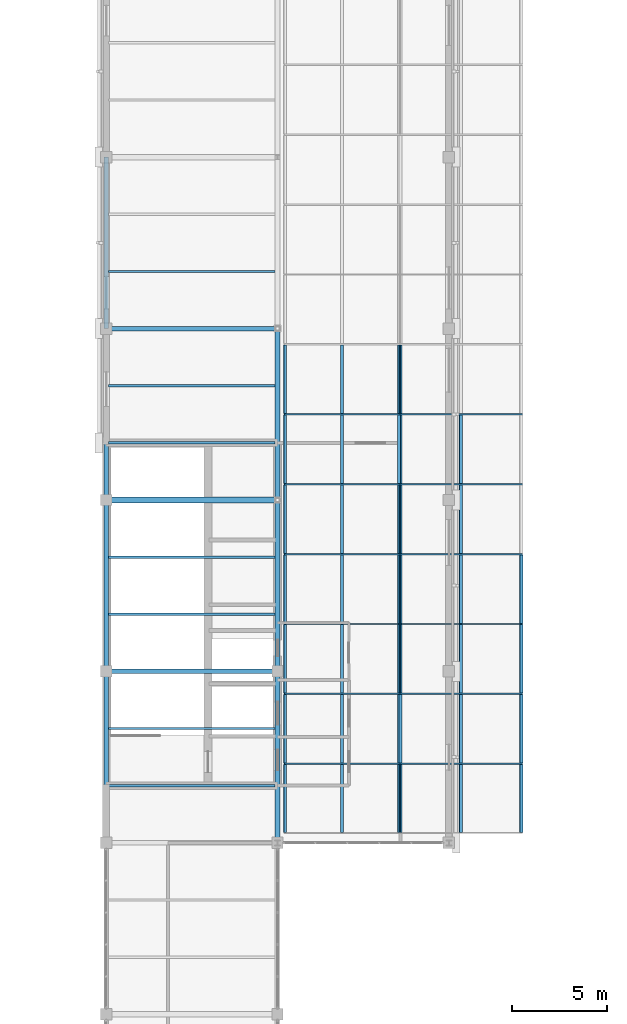
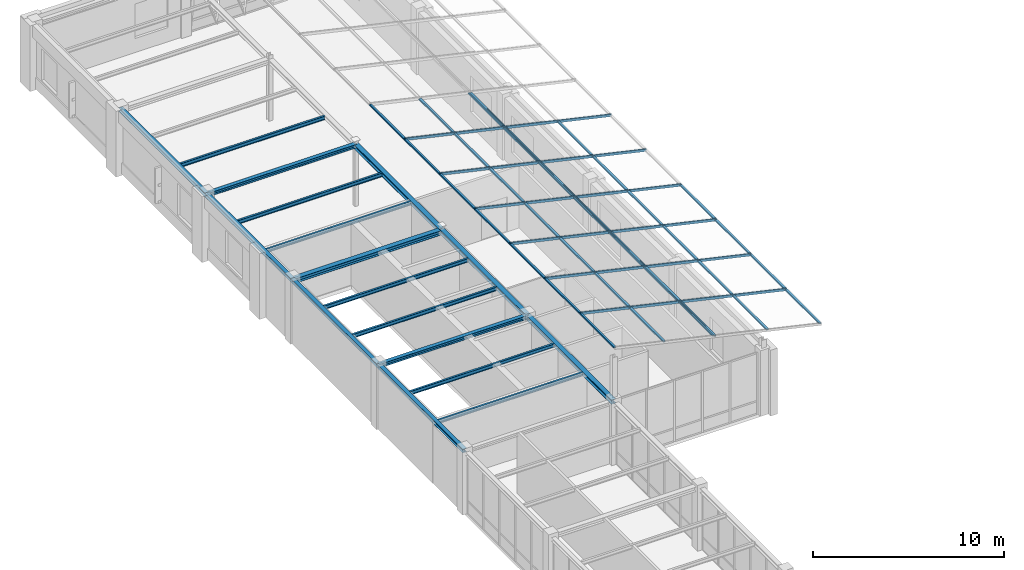
# One storey, part 55 of 97: 50 members, 17 beams, 2 elements without a shape of their own.
"""IFC4 building model written with IfcOpenShell, lengths in metres."""

from ifc_helpers import new_model, si_unit, direction, frame, origin, origin_2d, place, context, subcontext, project, spatial, hollow_rectangle, i_section, extrude, material, material_profile, profile_set, type_object, element, aggregate, save


model = new_model("IFC4")

# Units and contexts
model_context = context("Model", 3, precision=1e-05, world=origin(), true_north=direction((0.0, 1.0)))
body_context = subcontext(model_context, "Body", "Model", "MODEL_VIEW")
ifc_project = project(units=[si_unit("LENGTHUNIT", "METRE"), si_unit("AREAUNIT", "SQUARE_METRE"), si_unit("VOLUMEUNIT", "CUBIC_METRE"), si_unit("PLANEANGLEUNIT", "RADIAN"), si_unit("MASSUNIT", "GRAM", prefix="KILO")], contexts=[model_context])

# Site, building, storey
site_placement = place(None, origin())
site = spatial("IfcSite", under=ifc_project, at=site_placement, CompositionType="ELEMENT")
building_placement = place(site_placement, origin())
building = spatial("IfcBuilding", under=site, at=building_placement, Name="Lykobir Media Centre", CompositionType="ELEMENT")
storey_placement = place(building_placement, frame((0.0, 0.0, 23.39990234375)))
storey = spatial("IfcBuildingStorey", under=building, at=storey_placement, Name="L05", CompositionType="ELEMENT", Elevation=23.39990234375)

# Beams
ifc_material_1 = material(Name="Steel S355", Category="steel")
ifc_material_profile_1 = material_profile(ifc_material_1, i_section(OverallWidth=0.280029296875, OverallDepth=0.27001953125, WebThickness=0.008056640625, FlangeThickness=0.012939453125, at=origin_2d()), Name="HEA 280")
ifc_profile_set_1 = profile_set([ifc_material_profile_1], Name="Steel S355")
beam_type_1 = type_object("IfcBeamType", Name="BM-HEA280", PredefinedType="BEAM", material=ifc_profile_set_1)
for number, where, z_axis, x_axis, name in (
    (1, (36.0, 63.0, 3.8251953125), (0.0, 1.0, 0.0), (-1.0, 0.0, 0.0), "Beam BM-L05-0360-0630-0360-0720-2722"),
    (2, (36.0, 72.0, 3.8251953125), (0.0, 1.0, 0.0), (-1.0, 0.0, 0.0), "Beam BM-L05-0360-0720-0360-0810-2722"),
    (3, (36.0, 81.0, 3.8251953125), (0.0, 1.0, 0.0), (-1.0, 0.0, 0.0), "Beam BM-L05-0360-0810-0360-0900-2722"),
):
    element("IfcBeam", number, at=place(storey_placement, frame(where, z_axis=z_axis, x_axis=x_axis)), inside=storey, type_object=beam_type_1, Name=name, PredefinedType="BEAM", context=body_context, shape_type="SweptSolid", body=[
        extrude(i_section(OverallWidth=0.280029296875, OverallDepth=0.27001953125, WebThickness=0.008056640625, FlangeThickness=0.012939453125, at=origin_2d()), origin(), (0.0, 0.0, 1.0), 9.0),
    ])
ifc_material_profile_2 = material_profile(ifc_material_1, i_section(OverallWidth=0.300048828125, OverallDepth=0.2900390625, WebThickness=0.008544921875, FlangeThickness=0.013916015625, at=origin_2d()), Name="HEA 300")
ifc_profile_set_2 = profile_set([ifc_material_profile_2], Name="Steel S355")
beam_type_2 = type_object("IfcBeamType", Name="BM-HEA300", PredefinedType="BEAM", material=ifc_profile_set_2)
beam_placement = place(storey_placement, frame((27.0, 81.0, 3.815185546875), z_axis=(1.0, 0.0, 0.0), x_axis=(0.0, 1.0, 0.0)))
element("IfcBeam", 4, at=beam_placement, inside=storey, type_object=beam_type_2, Name="Beam BM-L05-0270-0810-0360-0810-2722", PredefinedType="BEAM", context=body_context, shape_type="SweptSolid", body=[
    extrude(i_section(OverallWidth=0.300048828125, OverallDepth=0.2900390625, WebThickness=0.008544921875, FlangeThickness=0.013916015625, at=origin_2d()), origin(), (0.0, 0.0, 1.0), 9.0),
])

# Curtain wall, members
ifc_material_2 = material(Name="Anodized Aluminium AW-6060", Category="aluminium")
curtain_wall_type = type_object("IfcCurtainWallType", Name="CW-V6-SKY", PredefinedType="NOTDEFINED", material=ifc_material_2)
curtain_wall_1_placement = place(storey_placement, origin())
curtain_wall_1 = element("IfcCurtainWall", 5, at=curtain_wall_1_placement, inside=storey, type_object=curtain_wall_type, Name="Curtain wall CW-V6-SKY06", PredefinedType="NOTDEFINED")
ifc_material_profile_3 = material_profile(ifc_material_2, hollow_rectangle(XDim=0.074951171875, YDim=0.14990234375, WallThickness=0.00341796875, at=origin_2d()), Name="ALU TRANSOM 75x150")
ifc_profile_set_3 = profile_set([ifc_material_profile_3], Name="Anodized Aluminium AW-6060")
member_type = type_object("IfcMemberType", Name="CWT-150", PredefinedType="USERDEFINED", material=ifc_profile_set_3)
member_1_placement = place(storey_placement, frame((48.834716796875, 85.5, 3.9873046875), z_axis=(-0.975255318588, 0.0, 0.221081576721), x_axis=(0.0, -1.0, 0.0)))
member_1 = element("IfcMember", 6, at=member_1_placement, type_object=member_type, Name="CW-V6-SKY06 rafter transom 7", ObjectType="TRANSOM", PredefinedType="USERDEFINED", context=body_context, shape_type="SweptSolid", body=[
    extrude(hollow_rectangle(XDim=0.074951171875, YDim=0.14990234375, WallThickness=0.00341796875, at=origin_2d()), origin(), (0.0, 0.0, 1.0), 6.591552734375),
])
member_2_placement = place(storey_placement, frame((48.834716796875, 81.830078125, 3.9873046875), z_axis=(-0.975255318588, 0.0, 0.221081576721), x_axis=(0.0, -1.0, 0.0)))
member_2 = element("IfcMember", 7, at=member_2_placement, type_object=member_type, Name="CW-V6-SKY06 rafter transom 8", ObjectType="TRANSOM", PredefinedType="USERDEFINED", context=body_context, shape_type="SweptSolid", body=[
    extrude(hollow_rectangle(XDim=0.074951171875, YDim=0.14990234375, WallThickness=0.00341796875, at=origin_2d()), origin(), (0.0, 0.0, 1.0), 6.591552734375),
])
member_3_placement = place(storey_placement, frame((48.834716796875, 78.159912109375, 3.9873046875), z_axis=(-0.975255318588, 0.0, 0.221081576721), x_axis=(0.0, -1.0, 0.0)))
member_3 = element("IfcMember", 8, at=member_3_placement, type_object=member_type, Name="CW-V6-SKY06 rafter transom 9", ObjectType="TRANSOM", PredefinedType="USERDEFINED", context=body_context, shape_type="SweptSolid", body=[
    extrude(hollow_rectangle(XDim=0.074951171875, YDim=0.14990234375, WallThickness=0.00341796875, at=origin_2d()), origin(), (0.0, 0.0, 1.0), 6.591552734375),
])
member_4_placement = place(storey_placement, frame((48.834716796875, 74.489990234375, 3.9873046875), z_axis=(-0.975255318588, 0.0, 0.221081576721), x_axis=(0.0, -1.0, 0.0)))
member_4 = element("IfcMember", 9, at=member_4_placement, type_object=member_type, Name="CW-V6-SKY06 rafter transom 10", ObjectType="TRANSOM", PredefinedType="USERDEFINED", context=body_context, shape_type="SweptSolid", body=[
    extrude(hollow_rectangle(XDim=0.074951171875, YDim=0.14990234375, WallThickness=0.00341796875, at=origin_2d()), origin(), (0.0, 0.0, 1.0), 6.591552734375),
])
member_5_placement = place(storey_placement, frame((48.834716796875, 70.820068359375, 3.9873046875), z_axis=(-0.975255318588, 0.0, 0.221081576721), x_axis=(0.0, -1.0, 0.0)))
member_5 = element("IfcMember", 10, at=member_5_placement, type_object=member_type, Name="CW-V6-SKY06 rafter transom 11", ObjectType="TRANSOM", PredefinedType="USERDEFINED", context=body_context, shape_type="SweptSolid", body=[
    extrude(hollow_rectangle(XDim=0.074951171875, YDim=0.14990234375, WallThickness=0.00341796875, at=origin_2d()), origin(), (0.0, 0.0, 1.0), 6.591552734375),
])
member_6_placement = place(storey_placement, frame((48.834716796875, 67.14990234375, 3.9873046875), z_axis=(-0.975255318588, 0.0, 0.221081576721), x_axis=(0.0, -1.0, 0.0)))
member_6 = element("IfcMember", 11, at=member_6_placement, type_object=member_type, Name="CW-V6-SKY06 rafter transom 12", ObjectType="TRANSOM", PredefinedType="USERDEFINED", context=body_context, shape_type="SweptSolid", body=[
    extrude(hollow_rectangle(XDim=0.074951171875, YDim=0.14990234375, WallThickness=0.00341796875, at=origin_2d()), origin(), (0.0, 0.0, 1.0), 6.591552734375),
])
member_7_placement = place(storey_placement, frame((42.44287109375, 89.132568359375, 5.436279296875), z_axis=(0.0, -1.0, 0.0), x_axis=(0.221071923309, 0.0, 0.975257506879)))
member_7 = element("IfcMember", 12, at=member_7_placement, type_object=member_type, Name="CW-V6-SKY06 transom 6.3", ObjectType="TRANSOM", PredefinedType="USERDEFINED", context=body_context, shape_type="SweptSolid", body=[
    extrude(hollow_rectangle(XDim=0.074951171875, YDim=0.14990234375, WallThickness=0.00341796875, at=origin_2d()), origin(), (0.0, 0.0, 1.0), 3.594970703125),
])
member_8_placement = place(storey_placement, frame((45.62060546875, 85.46240234375, 4.7158203125), z_axis=(0.0, -1.0, 0.0), x_axis=(0.221071923309, 0.0, 0.975257506879)))
member_8 = element("IfcMember", 13, at=member_8_placement, type_object=member_type, Name="CW-V6-SKY06 transom 7.2", ObjectType="TRANSOM", PredefinedType="USERDEFINED", context=body_context, shape_type="SweptSolid", body=[
    extrude(hollow_rectangle(XDim=0.074951171875, YDim=0.14990234375, WallThickness=0.00341796875, at=origin_2d()), origin(), (0.0, 0.0, 1.0), 3.594970703125),
])
member_9_placement = place(storey_placement, frame((42.44287109375, 85.46240234375, 5.436279296875), z_axis=(0.0, -1.0, 0.0), x_axis=(0.221071923309, 0.0, 0.975257506879)))
member_9 = element("IfcMember", 14, at=member_9_placement, type_object=member_type, Name="CW-V6-SKY06 transom 7.3", ObjectType="TRANSOM", PredefinedType="USERDEFINED", context=body_context, shape_type="SweptSolid", body=[
    extrude(hollow_rectangle(XDim=0.074951171875, YDim=0.14990234375, WallThickness=0.00341796875, at=origin_2d()), origin(), (0.0, 0.0, 1.0), 3.594970703125),
])
member_10_placement = place(storey_placement, frame((45.62060546875, 81.79248046875, 4.7158203125), z_axis=(0.0, -1.0, 0.0), x_axis=(0.221071923309, 0.0, 0.975257506879)))
member_10 = element("IfcMember", 15, at=member_10_placement, type_object=member_type, Name="CW-V6-SKY06 transom 8.2", ObjectType="TRANSOM", PredefinedType="USERDEFINED", context=body_context, shape_type="SweptSolid", body=[
    extrude(hollow_rectangle(XDim=0.074951171875, YDim=0.14990234375, WallThickness=0.00341796875, at=origin_2d()), origin(), (0.0, 0.0, 1.0), 3.594970703125),
])
member_11_placement = place(storey_placement, frame((42.44287109375, 81.79248046875, 5.436279296875), z_axis=(0.0, -1.0, 0.0), x_axis=(0.221071923309, 0.0, 0.975257506879)))
member_11 = element("IfcMember", 16, at=member_11_placement, type_object=member_type, Name="CW-V6-SKY06 transom 8.3", ObjectType="TRANSOM", PredefinedType="USERDEFINED", context=body_context, shape_type="SweptSolid", body=[
    extrude(hollow_rectangle(XDim=0.074951171875, YDim=0.14990234375, WallThickness=0.00341796875, at=origin_2d()), origin(), (0.0, 0.0, 1.0), 3.594970703125),
])
member_12_placement = place(storey_placement, frame((48.798095703125, 78.12255859375, 3.99560546875), z_axis=(0.0, -1.0, 0.0), x_axis=(0.221071923309, 0.0, 0.975257506879)))
member_12 = element("IfcMember", 17, at=member_12_placement, type_object=member_type, Name="CW-V6-SKY06 transom 9.1", ObjectType="TRANSOM", PredefinedType="USERDEFINED", context=body_context, shape_type="SweptSolid", body=[
    extrude(hollow_rectangle(XDim=0.074951171875, YDim=0.14990234375, WallThickness=0.00341796875, at=origin_2d()), origin(), (0.0, 0.0, 1.0), 3.594970703125),
])
member_13_placement = place(storey_placement, frame((45.62060546875, 78.12255859375, 4.7158203125), z_axis=(0.0, -1.0, 0.0), x_axis=(0.221071923309, 0.0, 0.975257506879)))
member_13 = element("IfcMember", 18, at=member_13_placement, type_object=member_type, Name="CW-V6-SKY06 transom 9.2", ObjectType="TRANSOM", PredefinedType="USERDEFINED", context=body_context, shape_type="SweptSolid", body=[
    extrude(hollow_rectangle(XDim=0.074951171875, YDim=0.14990234375, WallThickness=0.00341796875, at=origin_2d()), origin(), (0.0, 0.0, 1.0), 3.594970703125),
])
member_14_placement = place(storey_placement, frame((42.44287109375, 78.12255859375, 5.436279296875), z_axis=(0.0, -1.0, 0.0), x_axis=(0.221071923309, 0.0, 0.975257506879)))
member_14 = element("IfcMember", 19, at=member_14_placement, type_object=member_type, Name="CW-V6-SKY06 transom 9.3", ObjectType="TRANSOM", PredefinedType="USERDEFINED", context=body_context, shape_type="SweptSolid", body=[
    extrude(hollow_rectangle(XDim=0.074951171875, YDim=0.14990234375, WallThickness=0.00341796875, at=origin_2d()), origin(), (0.0, 0.0, 1.0), 3.594970703125),
])
member_15_placement = place(storey_placement, frame((48.798095703125, 74.452392578125, 3.99560546875), z_axis=(0.0, -1.0, 0.0), x_axis=(0.221071923309, 0.0, 0.975257506879)))
member_15 = element("IfcMember", 20, at=member_15_placement, type_object=member_type, Name="CW-V6-SKY06 transom 10.1", ObjectType="TRANSOM", PredefinedType="USERDEFINED", context=body_context, shape_type="SweptSolid", body=[
    extrude(hollow_rectangle(XDim=0.074951171875, YDim=0.14990234375, WallThickness=0.00341796875, at=origin_2d()), origin(), (0.0, 0.0, 1.0), 3.594970703125),
])
member_16_placement = place(storey_placement, frame((45.62060546875, 74.452392578125, 4.7158203125), z_axis=(0.0, -1.0, 0.0), x_axis=(0.221071923309, 0.0, 0.975257506879)))
member_16 = element("IfcMember", 21, at=member_16_placement, type_object=member_type, Name="CW-V6-SKY06 transom 10.2", ObjectType="TRANSOM", PredefinedType="USERDEFINED", context=body_context, shape_type="SweptSolid", body=[
    extrude(hollow_rectangle(XDim=0.074951171875, YDim=0.14990234375, WallThickness=0.00341796875, at=origin_2d()), origin(), (0.0, 0.0, 1.0), 3.594970703125),
])
member_17_placement = place(storey_placement, frame((42.44287109375, 74.452392578125, 5.436279296875), z_axis=(0.0, -1.0, 0.0), x_axis=(0.221071923309, 0.0, 0.975257506879)))
member_17 = element("IfcMember", 22, at=member_17_placement, type_object=member_type, Name="CW-V6-SKY06 transom 10.3", ObjectType="TRANSOM", PredefinedType="USERDEFINED", context=body_context, shape_type="SweptSolid", body=[
    extrude(hollow_rectangle(XDim=0.074951171875, YDim=0.14990234375, WallThickness=0.00341796875, at=origin_2d()), origin(), (0.0, 0.0, 1.0), 3.594970703125),
])
member_18_placement = place(storey_placement, frame((48.798095703125, 70.782470703125, 3.99560546875), z_axis=(0.0, -1.0, 0.0), x_axis=(0.221071923309, 0.0, 0.975257506879)))
member_18 = element("IfcMember", 23, at=member_18_placement, type_object=member_type, Name="CW-V6-SKY06 transom 11.1", ObjectType="TRANSOM", PredefinedType="USERDEFINED", context=body_context, shape_type="SweptSolid", body=[
    extrude(hollow_rectangle(XDim=0.074951171875, YDim=0.14990234375, WallThickness=0.00341796875, at=origin_2d()), origin(), (0.0, 0.0, 1.0), 3.594970703125),
])
member_19_placement = place(storey_placement, frame((45.62060546875, 70.782470703125, 4.7158203125), z_axis=(0.0, -1.0, 0.0), x_axis=(0.221071923309, 0.0, 0.975257506879)))
member_19 = element("IfcMember", 24, at=member_19_placement, type_object=member_type, Name="CW-V6-SKY06 transom 11.2", ObjectType="TRANSOM", PredefinedType="USERDEFINED", context=body_context, shape_type="SweptSolid", body=[
    extrude(hollow_rectangle(XDim=0.074951171875, YDim=0.14990234375, WallThickness=0.00341796875, at=origin_2d()), origin(), (0.0, 0.0, 1.0), 3.594970703125),
])
member_20_placement = place(storey_placement, frame((42.44287109375, 70.782470703125, 5.436279296875), z_axis=(0.0, -1.0, 0.0), x_axis=(0.221071923309, 0.0, 0.975257506879)))
member_20 = element("IfcMember", 25, at=member_20_placement, type_object=member_type, Name="CW-V6-SKY06 transom 11.3", ObjectType="TRANSOM", PredefinedType="USERDEFINED", context=body_context, shape_type="SweptSolid", body=[
    extrude(hollow_rectangle(XDim=0.074951171875, YDim=0.14990234375, WallThickness=0.00341796875, at=origin_2d()), origin(), (0.0, 0.0, 1.0), 3.594970703125),
])
member_21_placement = place(storey_placement, frame((48.798095703125, 67.112548828125, 3.99560546875), z_axis=(0.0, -1.0, 0.0), x_axis=(0.221071923309, 0.0, 0.975257506879)))
member_21 = element("IfcMember", 26, at=member_21_placement, type_object=member_type, Name="CW-V6-SKY06 transom 12.1", ObjectType="TRANSOM", PredefinedType="USERDEFINED", context=body_context, shape_type="SweptSolid", body=[
    extrude(hollow_rectangle(XDim=0.074951171875, YDim=0.14990234375, WallThickness=0.00341796875, at=origin_2d()), origin(), (0.0, 0.0, 1.0), 3.5576171875),
])
member_22_placement = place(storey_placement, frame((45.62060546875, 67.112548828125, 4.7158203125), z_axis=(0.0, -1.0, 0.0), x_axis=(0.221071923309, 0.0, 0.975257506879)))
member_22 = element("IfcMember", 27, at=member_22_placement, type_object=member_type, Name="CW-V6-SKY06 transom 12.2", ObjectType="TRANSOM", PredefinedType="USERDEFINED", context=body_context, shape_type="SweptSolid", body=[
    extrude(hollow_rectangle(XDim=0.074951171875, YDim=0.14990234375, WallThickness=0.00341796875, at=origin_2d()), origin(), (0.0, 0.0, 1.0), 3.5576171875),
])
member_23_placement = place(storey_placement, frame((42.44287109375, 67.112548828125, 5.436279296875), z_axis=(0.0, -1.0, 0.0), x_axis=(0.221071923309, 0.0, 0.975257506879)))
member_23 = element("IfcMember", 28, at=member_23_placement, type_object=member_type, Name="CW-V6-SKY06 transom 12.3", ObjectType="TRANSOM", PredefinedType="USERDEFINED", context=body_context, shape_type="SweptSolid", body=[
    extrude(hollow_rectangle(XDim=0.074951171875, YDim=0.14990234375, WallThickness=0.00341796875, at=origin_2d()), origin(), (0.0, 0.0, 1.0), 3.5576171875),
])
aggregate(curtain_wall_1, [member_1, member_2, member_3, member_4, member_5, member_6, member_7, member_8, member_9, member_10, member_11, member_12, member_13, member_14, member_15, member_16, member_17, member_18, member_19, member_20, member_21, member_22, member_23])

curtain_wall_2_placement = place(storey_placement, origin())
curtain_wall_2 = element("IfcCurtainWall", 29, at=curtain_wall_2_placement, inside=storey, type_object=curtain_wall_type, Name="Curtain wall CW-V6-SKY07", PredefinedType="NOTDEFINED")
member_24_placement = place(storey_placement, frame((42.40625, 85.5, 5.444580078125), z_axis=(-0.97526608678, 0.0, 0.221034069718), x_axis=(0.0, -1.0, 0.0)))
member_24 = element("IfcMember", 30, at=member_24_placement, type_object=member_type, Name="CW-V6-SKY07 rafter transom 7", ObjectType="TRANSOM", PredefinedType="USERDEFINED", context=body_context, shape_type="SweptSolid", body=[
    extrude(hollow_rectangle(XDim=0.074951171875, YDim=0.14990234375, WallThickness=0.00341796875, at=origin_2d()), origin(), (0.0, 0.0, 1.0), 6.201904296875),
])
member_25_placement = place(storey_placement, frame((42.40625, 81.830078125, 5.444580078125), z_axis=(-0.97526608678, 0.0, 0.221034069718), x_axis=(0.0, -1.0, 0.0)))
member_25 = element("IfcMember", 31, at=member_25_placement, type_object=member_type, Name="CW-V6-SKY07 rafter transom 8", ObjectType="TRANSOM", PredefinedType="USERDEFINED", context=body_context, shape_type="SweptSolid", body=[
    extrude(hollow_rectangle(XDim=0.074951171875, YDim=0.14990234375, WallThickness=0.00341796875, at=origin_2d()), origin(), (0.0, 0.0, 1.0), 6.201904296875),
])
member_26_placement = place(storey_placement, frame((42.40625, 78.159912109375, 5.444580078125), z_axis=(-0.97526608678, 0.0, 0.221034069718), x_axis=(0.0, -1.0, 0.0)))
member_26 = element("IfcMember", 32, at=member_26_placement, type_object=member_type, Name="CW-V6-SKY07 rafter transom 9", ObjectType="TRANSOM", PredefinedType="USERDEFINED", context=body_context, shape_type="SweptSolid", body=[
    extrude(hollow_rectangle(XDim=0.074951171875, YDim=0.14990234375, WallThickness=0.00341796875, at=origin_2d()), origin(), (0.0, 0.0, 1.0), 6.201904296875),
])
member_27_placement = place(storey_placement, frame((42.40625, 74.489990234375, 5.444580078125), z_axis=(-0.97526608678, 0.0, 0.221034069718), x_axis=(0.0, -1.0, 0.0)))
member_27 = element("IfcMember", 33, at=member_27_placement, type_object=member_type, Name="CW-V6-SKY07 rafter transom 10", ObjectType="TRANSOM", PredefinedType="USERDEFINED", context=body_context, shape_type="SweptSolid", body=[
    extrude(hollow_rectangle(XDim=0.074951171875, YDim=0.14990234375, WallThickness=0.00341796875, at=origin_2d()), origin(), (0.0, 0.0, 1.0), 6.201904296875),
])
member_28_placement = place(storey_placement, frame((42.40625, 70.820068359375, 5.444580078125), z_axis=(-0.97526608678, 0.0, 0.221034069718), x_axis=(0.0, -1.0, 0.0)))
member_28 = element("IfcMember", 34, at=member_28_placement, type_object=member_type, Name="CW-V6-SKY07 rafter transom 11", ObjectType="TRANSOM", PredefinedType="USERDEFINED", context=body_context, shape_type="SweptSolid", body=[
    extrude(hollow_rectangle(XDim=0.074951171875, YDim=0.14990234375, WallThickness=0.00341796875, at=origin_2d()), origin(), (0.0, 0.0, 1.0), 6.201904296875),
])
member_29_placement = place(storey_placement, frame((42.40625, 67.14990234375, 5.444580078125), z_axis=(-0.97526608678, 0.0, 0.221034069718), x_axis=(0.0, -1.0, 0.0)))
member_29 = element("IfcMember", 35, at=member_29_placement, type_object=member_type, Name="CW-V6-SKY07 rafter transom 12", ObjectType="TRANSOM", PredefinedType="USERDEFINED", context=body_context, shape_type="SweptSolid", body=[
    extrude(hollow_rectangle(XDim=0.074951171875, YDim=0.14990234375, WallThickness=0.00341796875, at=origin_2d()), origin(), (0.0, 0.0, 1.0), 6.201904296875),
])
member_30_placement = place(storey_placement, frame((42.36962890625, 89.132568359375, 5.452880859375), z_axis=(0.0, -1.0, 0.0), x_axis=(0.221054901821, 0.0, 0.975261365164)))
member_30 = element("IfcMember", 36, at=member_30_placement, type_object=member_type, Name="CW-V6-SKY07 transom 6.1", ObjectType="TRANSOM", PredefinedType="USERDEFINED", context=body_context, shape_type="SweptSolid", body=[
    extrude(hollow_rectangle(XDim=0.074951171875, YDim=0.14990234375, WallThickness=0.00341796875, at=origin_2d()), origin(), (0.0, 0.0, 1.0), 3.594970703125),
])
member_31_placement = place(storey_placement, frame((39.382080078125, 89.132568359375, 6.1298828125), z_axis=(0.0, -1.0, 0.0), x_axis=(0.221054901821, 0.0, 0.975261365164)))
member_31 = element("IfcMember", 37, at=member_31_placement, type_object=member_type, Name="CW-V6-SKY07 transom 6.2", ObjectType="TRANSOM", PredefinedType="USERDEFINED", context=body_context, shape_type="SweptSolid", body=[
    extrude(hollow_rectangle(XDim=0.074951171875, YDim=0.14990234375, WallThickness=0.00341796875, at=origin_2d()), origin(), (0.0, 0.0, 1.0), 3.594970703125),
])
member_32_placement = place(storey_placement, frame((36.394287109375, 89.132568359375, 6.80712890625), z_axis=(0.0, -1.0, 0.0), x_axis=(0.221054901821, 0.0, 0.975261365164)))
member_32 = element("IfcMember", 38, at=member_32_placement, type_object=member_type, Name="CW-V6-SKY07 transom 6.3", ObjectType="TRANSOM", PredefinedType="USERDEFINED", context=body_context, shape_type="SweptSolid", body=[
    extrude(hollow_rectangle(XDim=0.074951171875, YDim=0.14990234375, WallThickness=0.00341796875, at=origin_2d()), origin(), (0.0, 0.0, 1.0), 3.594970703125),
])
member_33_placement = place(storey_placement, frame((42.36962890625, 85.46240234375, 5.452880859375), z_axis=(0.0, -1.0, 0.0), x_axis=(0.221054901821, 0.0, 0.975261365164)))
member_33 = element("IfcMember", 39, at=member_33_placement, type_object=member_type, Name="CW-V6-SKY07 transom 7.1", ObjectType="TRANSOM", PredefinedType="USERDEFINED", context=body_context, shape_type="SweptSolid", body=[
    extrude(hollow_rectangle(XDim=0.074951171875, YDim=0.14990234375, WallThickness=0.00341796875, at=origin_2d()), origin(), (0.0, 0.0, 1.0), 3.594970703125),
])
member_34_placement = place(storey_placement, frame((39.382080078125, 85.46240234375, 6.1298828125), z_axis=(0.0, -1.0, 0.0), x_axis=(0.221054901821, 0.0, 0.975261365164)))
member_34 = element("IfcMember", 40, at=member_34_placement, type_object=member_type, Name="CW-V6-SKY07 transom 7.2", ObjectType="TRANSOM", PredefinedType="USERDEFINED", context=body_context, shape_type="SweptSolid", body=[
    extrude(hollow_rectangle(XDim=0.074951171875, YDim=0.14990234375, WallThickness=0.00341796875, at=origin_2d()), origin(), (0.0, 0.0, 1.0), 3.594970703125),
])
member_35_placement = place(storey_placement, frame((36.394287109375, 85.46240234375, 6.80712890625), z_axis=(0.0, -1.0, 0.0), x_axis=(0.221054901821, 0.0, 0.975261365164)))
member_35 = element("IfcMember", 41, at=member_35_placement, type_object=member_type, Name="CW-V6-SKY07 transom 7.3", ObjectType="TRANSOM", PredefinedType="USERDEFINED", context=body_context, shape_type="SweptSolid", body=[
    extrude(hollow_rectangle(XDim=0.074951171875, YDim=0.14990234375, WallThickness=0.00341796875, at=origin_2d()), origin(), (0.0, 0.0, 1.0), 3.594970703125),
])
member_36_placement = place(storey_placement, frame((42.36962890625, 81.79248046875, 5.452880859375), z_axis=(0.0, -1.0, 0.0), x_axis=(0.221054901821, 0.0, 0.975261365164)))
member_36 = element("IfcMember", 42, at=member_36_placement, type_object=member_type, Name="CW-V6-SKY07 transom 8.1", ObjectType="TRANSOM", PredefinedType="USERDEFINED", context=body_context, shape_type="SweptSolid", body=[
    extrude(hollow_rectangle(XDim=0.074951171875, YDim=0.14990234375, WallThickness=0.00341796875, at=origin_2d()), origin(), (0.0, 0.0, 1.0), 3.594970703125),
])
member_37_placement = place(storey_placement, frame((39.382080078125, 81.79248046875, 6.1298828125), z_axis=(0.0, -1.0, 0.0), x_axis=(0.221054901821, 0.0, 0.975261365164)))
member_37 = element("IfcMember", 43, at=member_37_placement, type_object=member_type, Name="CW-V6-SKY07 transom 8.2", ObjectType="TRANSOM", PredefinedType="USERDEFINED", context=body_context, shape_type="SweptSolid", body=[
    extrude(hollow_rectangle(XDim=0.074951171875, YDim=0.14990234375, WallThickness=0.00341796875, at=origin_2d()), origin(), (0.0, 0.0, 1.0), 3.594970703125),
])
member_38_placement = place(storey_placement, frame((36.394287109375, 81.79248046875, 6.80712890625), z_axis=(0.0, -1.0, 0.0), x_axis=(0.221054901821, 0.0, 0.975261365164)))
member_38 = element("IfcMember", 44, at=member_38_placement, type_object=member_type, Name="CW-V6-SKY07 transom 8.3", ObjectType="TRANSOM", PredefinedType="USERDEFINED", context=body_context, shape_type="SweptSolid", body=[
    extrude(hollow_rectangle(XDim=0.074951171875, YDim=0.14990234375, WallThickness=0.00341796875, at=origin_2d()), origin(), (0.0, 0.0, 1.0), 3.594970703125),
])
member_39_placement = place(storey_placement, frame((42.36962890625, 78.12255859375, 5.452880859375), z_axis=(0.0, -1.0, 0.0), x_axis=(0.221054901821, 0.0, 0.975261365164)))
member_39 = element("IfcMember", 45, at=member_39_placement, type_object=member_type, Name="CW-V6-SKY07 transom 9.1", ObjectType="TRANSOM", PredefinedType="USERDEFINED", context=body_context, shape_type="SweptSolid", body=[
    extrude(hollow_rectangle(XDim=0.074951171875, YDim=0.14990234375, WallThickness=0.00341796875, at=origin_2d()), origin(), (0.0, 0.0, 1.0), 3.594970703125),
])
member_40_placement = place(storey_placement, frame((39.382080078125, 78.12255859375, 6.1298828125), z_axis=(0.0, -1.0, 0.0), x_axis=(0.221054901821, 0.0, 0.975261365164)))
member_40 = element("IfcMember", 46, at=member_40_placement, type_object=member_type, Name="CW-V6-SKY07 transom 9.2", ObjectType="TRANSOM", PredefinedType="USERDEFINED", context=body_context, shape_type="SweptSolid", body=[
    extrude(hollow_rectangle(XDim=0.074951171875, YDim=0.14990234375, WallThickness=0.00341796875, at=origin_2d()), origin(), (0.0, 0.0, 1.0), 3.594970703125),
])
member_41_placement = place(storey_placement, frame((36.394287109375, 78.12255859375, 6.80712890625), z_axis=(0.0, -1.0, 0.0), x_axis=(0.221054901821, 0.0, 0.975261365164)))
member_41 = element("IfcMember", 47, at=member_41_placement, type_object=member_type, Name="CW-V6-SKY07 transom 9.3", ObjectType="TRANSOM", PredefinedType="USERDEFINED", context=body_context, shape_type="SweptSolid", body=[
    extrude(hollow_rectangle(XDim=0.074951171875, YDim=0.14990234375, WallThickness=0.00341796875, at=origin_2d()), origin(), (0.0, 0.0, 1.0), 3.594970703125),
])
member_42_placement = place(storey_placement, frame((42.36962890625, 74.452392578125, 5.452880859375), z_axis=(0.0, -1.0, 0.0), x_axis=(0.221054901821, 0.0, 0.975261365164)))
member_42 = element("IfcMember", 48, at=member_42_placement, type_object=member_type, Name="CW-V6-SKY07 transom 10.1", ObjectType="TRANSOM", PredefinedType="USERDEFINED", context=body_context, shape_type="SweptSolid", body=[
    extrude(hollow_rectangle(XDim=0.074951171875, YDim=0.14990234375, WallThickness=0.00341796875, at=origin_2d()), origin(), (0.0, 0.0, 1.0), 3.594970703125),
])
member_43_placement = place(storey_placement, frame((39.382080078125, 74.452392578125, 6.1298828125), z_axis=(0.0, -1.0, 0.0), x_axis=(0.221054901821, 0.0, 0.975261365164)))
member_43 = element("IfcMember", 49, at=member_43_placement, type_object=member_type, Name="CW-V6-SKY07 transom 10.2", ObjectType="TRANSOM", PredefinedType="USERDEFINED", context=body_context, shape_type="SweptSolid", body=[
    extrude(hollow_rectangle(XDim=0.074951171875, YDim=0.14990234375, WallThickness=0.00341796875, at=origin_2d()), origin(), (0.0, 0.0, 1.0), 3.594970703125),
])
member_44_placement = place(storey_placement, frame((36.394287109375, 74.452392578125, 6.80712890625), z_axis=(0.0, -1.0, 0.0), x_axis=(0.221054901821, 0.0, 0.975261365164)))
member_44 = element("IfcMember", 50, at=member_44_placement, type_object=member_type, Name="CW-V6-SKY07 transom 10.3", ObjectType="TRANSOM", PredefinedType="USERDEFINED", context=body_context, shape_type="SweptSolid", body=[
    extrude(hollow_rectangle(XDim=0.074951171875, YDim=0.14990234375, WallThickness=0.00341796875, at=origin_2d()), origin(), (0.0, 0.0, 1.0), 3.594970703125),
])
member_45_placement = place(storey_placement, frame((42.36962890625, 70.782470703125, 5.452880859375), z_axis=(0.0, -1.0, 0.0), x_axis=(0.221054901821, 0.0, 0.975261365164)))
member_45 = element("IfcMember", 51, at=member_45_placement, type_object=member_type, Name="CW-V6-SKY07 transom 11.1", ObjectType="TRANSOM", PredefinedType="USERDEFINED", context=body_context, shape_type="SweptSolid", body=[
    extrude(hollow_rectangle(XDim=0.074951171875, YDim=0.14990234375, WallThickness=0.00341796875, at=origin_2d()), origin(), (0.0, 0.0, 1.0), 3.594970703125),
])
member_46_placement = place(storey_placement, frame((39.382080078125, 70.782470703125, 6.1298828125), z_axis=(0.0, -1.0, 0.0), x_axis=(0.221054901821, 0.0, 0.975261365164)))
member_46 = element("IfcMember", 52, at=member_46_placement, type_object=member_type, Name="CW-V6-SKY07 transom 11.2", ObjectType="TRANSOM", PredefinedType="USERDEFINED", context=body_context, shape_type="SweptSolid", body=[
    extrude(hollow_rectangle(XDim=0.074951171875, YDim=0.14990234375, WallThickness=0.00341796875, at=origin_2d()), origin(), (0.0, 0.0, 1.0), 3.594970703125),
])
member_47_placement = place(storey_placement, frame((36.394287109375, 70.782470703125, 6.80712890625), z_axis=(0.0, -1.0, 0.0), x_axis=(0.221054901821, 0.0, 0.975261365164)))
member_47 = element("IfcMember", 53, at=member_47_placement, type_object=member_type, Name="CW-V6-SKY07 transom 11.3", ObjectType="TRANSOM", PredefinedType="USERDEFINED", context=body_context, shape_type="SweptSolid", body=[
    extrude(hollow_rectangle(XDim=0.074951171875, YDim=0.14990234375, WallThickness=0.00341796875, at=origin_2d()), origin(), (0.0, 0.0, 1.0), 3.594970703125),
])
member_48_placement = place(storey_placement, frame((42.36962890625, 67.112548828125, 5.452880859375), z_axis=(0.0, -1.0, 0.0), x_axis=(0.221054901821, 0.0, 0.975261365164)))
member_48 = element("IfcMember", 54, at=member_48_placement, type_object=member_type, Name="CW-V6-SKY07 transom 12.1", ObjectType="TRANSOM", PredefinedType="USERDEFINED", context=body_context, shape_type="SweptSolid", body=[
    extrude(hollow_rectangle(XDim=0.074951171875, YDim=0.14990234375, WallThickness=0.00341796875, at=origin_2d()), origin(), (0.0, 0.0, 1.0), 3.5576171875),
])
member_49_placement = place(storey_placement, frame((39.382080078125, 67.112548828125, 6.1298828125), z_axis=(0.0, -1.0, 0.0), x_axis=(0.221054901821, 0.0, 0.975261365164)))
member_49 = element("IfcMember", 55, at=member_49_placement, type_object=member_type, Name="CW-V6-SKY07 transom 12.2", ObjectType="TRANSOM", PredefinedType="USERDEFINED", context=body_context, shape_type="SweptSolid", body=[
    extrude(hollow_rectangle(XDim=0.074951171875, YDim=0.14990234375, WallThickness=0.00341796875, at=origin_2d()), origin(), (0.0, 0.0, 1.0), 3.5576171875),
])
member_50_placement = place(storey_placement, frame((36.394287109375, 67.112548828125, 6.80712890625), z_axis=(0.0, -1.0, 0.0), x_axis=(0.221054901821, 0.0, 0.975261365164)))
member_50 = element("IfcMember", 56, at=member_50_placement, type_object=member_type, Name="CW-V6-SKY07 transom 12.3", ObjectType="TRANSOM", PredefinedType="USERDEFINED", context=body_context, shape_type="SweptSolid", body=[
    extrude(hollow_rectangle(XDim=0.074951171875, YDim=0.14990234375, WallThickness=0.00341796875, at=origin_2d()), origin(), (0.0, 0.0, 1.0), 3.5576171875),
])
aggregate(curtain_wall_2, [member_24, member_25, member_26, member_27, member_28, member_29, member_30, member_31, member_32, member_33, member_34, member_35, member_36, member_37, member_38, member_39, member_40, member_41, member_42, member_43, member_44, member_45, member_46, member_47, member_48, member_49, member_50])

# Beams
ifc_material_profile_4 = material_profile(ifc_material_1, i_section(OverallWidth=0.1201171875, OverallDepth=0.239990234375, WebThickness=0.006103515625, FlangeThickness=0.009765625, at=origin_2d()), Name="IPE 240")
ifc_profile_set_4 = profile_set([ifc_material_profile_4], Name="Steel S355")
beam_type_3 = type_object("IfcBeamType", Name="JS-IPE240", PredefinedType="JOIST", material=ifc_profile_set_4)
for number, where, z_axis, x_axis, name in (
    (57, (27.1201171875, 66.0, 3.840087890625), (1.0, 0.0, 0.0), (0.0, 1.0, 0.0), "Beam BM-L05-0271-0660-0359-0660-2724"),
    (58, (27.1201171875, 69.0, 3.840087890625), (1.0, 0.0, 0.0), (0.0, 1.0, 0.0), "Beam BM-L05-0271-0690-0359-0690-2724"),
    (59, (27.1201171875, 75.0, 3.840087890625), (1.0, 0.0, 0.0), (0.0, 1.0, 0.0), "Beam BM-L05-0271-0750-0359-0750-2724"),
    (60, (27.1201171875, 78.0, 3.840087890625), (1.0, 0.0, 0.0), (0.0, 1.0, 0.0), "Beam BM-L05-0271-0780-0359-0780-2724"),
    (61, (27.1201171875, 84.0, 3.840087890625), (1.0, 0.0, 0.0), (0.0, 1.0, 0.0), "Beam BM-L05-0271-0840-0359-0840-2724"),
    (62, (27.1201171875, 87.0, 3.840087890625), (1.0, 0.0, 0.0), (0.0, 1.0, 0.0), "Beam BM-L05-0271-0870-0359-0870-2724"),
    (63, (27.1201171875, 93.0, 3.840087890625), (1.0, 0.0, 0.0), (0.0, 1.0, 0.0), "Beam BM-L05-0271-0930-0359-0930-2724"),
):
    element("IfcBeam", number, at=place(storey_placement, frame(where, z_axis=z_axis, x_axis=x_axis)), inside=storey, type_object=beam_type_3, Name=name, PredefinedType="JOIST", context=body_context, shape_type="SweptSolid", body=[
        extrude(i_section(OverallWidth=0.1201171875, OverallDepth=0.239990234375, WebThickness=0.006103515625, FlangeThickness=0.009765625, at=origin_2d()), origin(), (0.0, 0.0, 1.0), 8.739990234375),
    ])
ifc_material_profile_5 = material_profile(ifc_material_1, i_section(OverallWidth=0.239990234375, OverallDepth=0.22998046875, WebThickness=0.007568359375, FlangeThickness=0.011962890625, at=origin_2d()), Name="HEA 240")
ifc_profile_set_5 = profile_set([ifc_material_profile_5], Name="Steel S355")
beam_type_4 = type_object("IfcBeamType", Name="SP-HEA240", PredefinedType="SPANDREL", material=ifc_profile_set_5)
for number, where, z_axis, x_axis, name in (
    (64, (27.0, 72.0, 3.84521484375), (1.0, 0.0, 0.0), (0.0, 1.0, 0.0), "Beam BM-L05-0270-0720-0360-0720-2724"),
    (65, (27.0, 90.0, 3.84521484375), (1.0, 0.0, 0.0), (0.0, 1.0, 0.0), "Beam BM-L05-0270-0900-0360-0900-2724"),
    (66, (27.0, 63.0, 3.84521484375), (0.0, 1.0, 0.0), (-1.0, 0.0, 0.0), "Beam BM-L05-0270-0630-0270-0720-2724"),
    (67, (27.0, 72.0, 3.84521484375), (0.0, 1.0, 0.0), (-1.0, 0.0, 0.0), "Beam BM-L05-0270-0720-0270-0810-2724"),
    (68, (27.0, 81.0, 3.84521484375), (0.0, 1.0, 0.0), (-1.0, 0.0, 0.0), "Beam BM-L05-0270-0810-0270-0900-2724"),
    (69, (27.0, 90.0, 3.84521484375), (0.0, 1.0, 0.0), (-1.0, 0.0, 0.0), "Beam BM-L05-0270-0900-0270-0990-2724"),
):
    element("IfcBeam", number, at=place(storey_placement, frame(where, z_axis=z_axis, x_axis=x_axis)), inside=storey, type_object=beam_type_4, Name=name, PredefinedType="SPANDREL", context=body_context, shape_type="SweptSolid", body=[
        extrude(i_section(OverallWidth=0.239990234375, OverallDepth=0.22998046875, WebThickness=0.007568359375, FlangeThickness=0.011962890625, at=origin_2d()), origin(), (0.0, 0.0, 1.0), 9.0),
    ])

save(model, "model.ifc")
